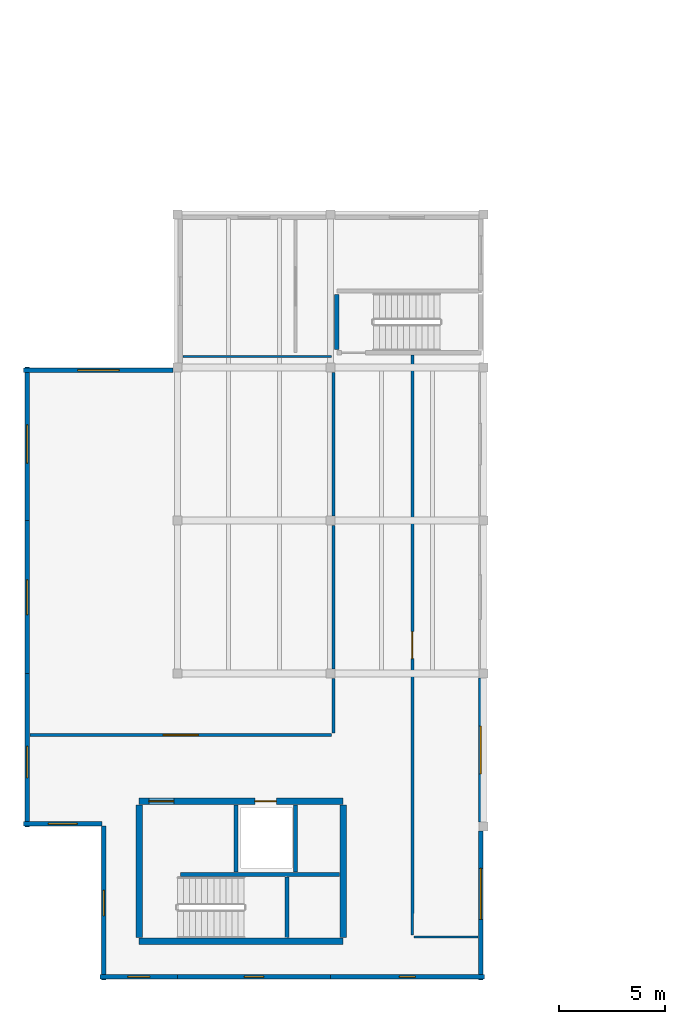
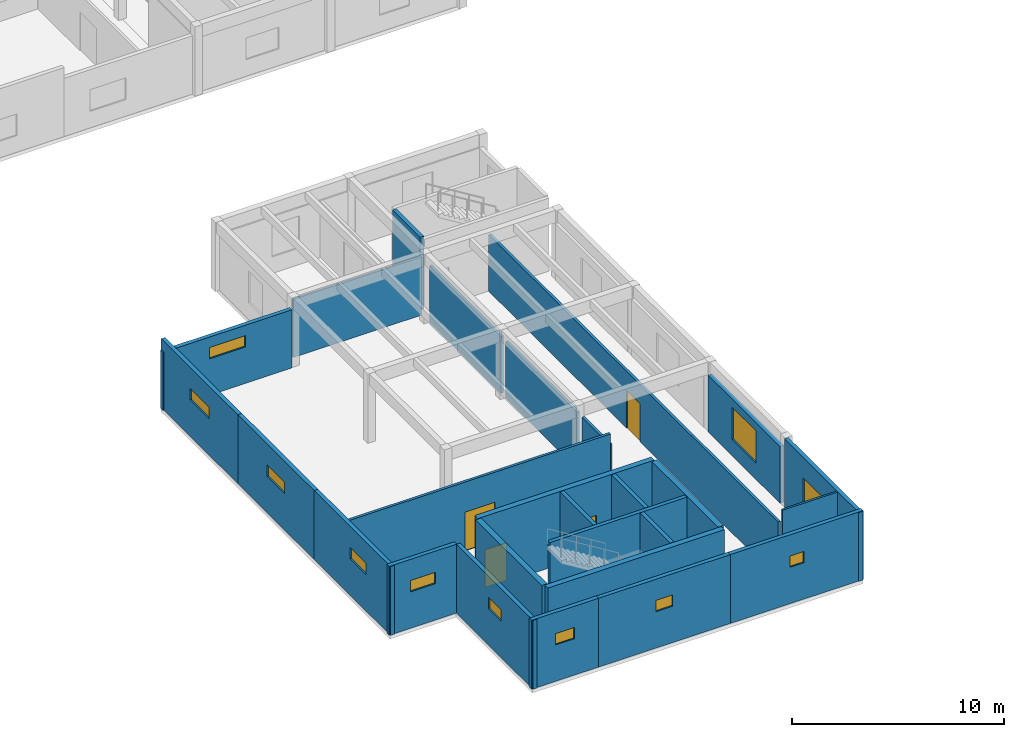
# One storey, part 3 of 15: 27 walls, 11 windows, 4 doors, 15 openings.
"""IFC4 building model written with IfcOpenShell, lengths in metres."""

from ifc_helpers import new_model, si_unit, direction, frame, frame_2d, origin, place, context, subcontext, project, spatial, rectangle, extrude, material, layer, layer_set, type_object, element, fill, save


model = new_model("IFC4")

# Units and contexts
model_context = context("Model", 3, precision=1e-05, world=origin(), true_north=direction((0.0, 1.0)))
body_context = subcontext(model_context, "Body", "Model", "MODEL_VIEW")
ifc_project = project(units=[si_unit("LENGTHUNIT", "METRE"), si_unit("AREAUNIT", "SQUARE_METRE"), si_unit("VOLUMEUNIT", "CUBIC_METRE"), si_unit("PLANEANGLEUNIT", "RADIAN"), si_unit("MASSUNIT", "GRAM", prefix="KILO")], contexts=[model_context])

# Site, building, storey
site_placement = place(None, origin())
site = spatial("IfcSite", under=ifc_project, at=site_placement, CompositionType="ELEMENT")
building_placement = place(site_placement, origin())
building = spatial("IfcBuilding", under=site, at=building_placement, Name="Bramvelor Terrace Health Centre", CompositionType="ELEMENT")
storey_placement = place(building_placement, frame((0.0, 0.0, 13.5)))
storey = spatial("IfcBuildingStorey", under=building, at=storey_placement, Name="L04", CompositionType="ELEMENT", Elevation=13.5)

# Walls
ifc_material_1 = material(Name="Acoustic clinical partition board", Category="gypsum")
ifc_layer_1 = layer(ifc_material_1, 0.110107421875)
ifc_layer_set_1 = layer_set([ifc_layer_1], Name="Acoustic clinical partition board")
wall_type_1 = type_object("IfcWallType", Name="WL-CLN-110", PredefinedType="PARTITIONING", material=ifc_layer_set_1)
wall_1_placement = place(storey_placement, frame((7.449951171875, 58.1201171875, 0.0), z_axis=(0.0, 0.0, 1.0), x_axis=(1.0, 0.0, 0.0)))
element("IfcWall", 1, at=wall_1_placement, inside=storey, type_object=wall_type_1, Name="L04 Interior Partition 312", PredefinedType="PARTITIONING", context=body_context, shape_type="SweptSolid", body=[
    extrude(rectangle(XDim=7.010009765625, YDim=0.110107421875, at=frame_2d((3.5048828125, 0.0))), origin(), (0.0, 0.0, 1.0), 3.35009765625),
])
wall_2_placement = place(storey_placement, frame((21.35009765625, 30.800048828125, 0.0), z_axis=(0.0, 0.0, 1.0), x_axis=(-1.0, 0.0, 0.0)))
element("IfcWall", 2, at=wall_2_placement, inside=storey, type_object=wall_type_1, Name="L04 Interior Partition 318", PredefinedType="PARTITIONING", context=body_context, shape_type="SweptSolid", body=[
    extrude(rectangle(XDim=3.010009765625, YDim=0.110107421875, at=frame_2d((1.5048828125, 0.0))), origin(), (0.0, 0.0, 1.0), 3.969970703125),
])

# Wall, opening, door
ifc_material_2 = material(Name="Fire-rated gypsum and mineral wool", Category="gypsum")
ifc_layer_2 = layer(ifc_material_2, 0.139892578125)
ifc_layer_set_2 = layer_set([ifc_layer_2], Name="Fire-rated gypsum and mineral wool")
wall_type_2 = type_object("IfcWallType", Name="WL-COR-140", PredefinedType="PARTITIONING", material=ifc_layer_set_2)
wall_3_placement = place(storey_placement, frame((14.4599609375, 40.31005859375, 0.0), z_axis=(0.0, 0.0, 1.0), x_axis=(-1.0, 0.0, 0.0)))
wall_3 = element("IfcWall", 3, at=wall_3_placement, inside=storey, type_object=wall_type_2, Name="L04 Interior Partition 311", PredefinedType="PARTITIONING", context=body_context, shape_type="SweptSolid", body=[
    extrude(rectangle(XDim=14.2099609375, YDim=0.139892578125, at=frame_2d((7.10498046875, 0.0))), origin(), (0.0, 0.0, 1.0), 3.969970703125),
])
opening_1_placement = place(wall_3_placement, frame((6.284912109375, 0.0, 0.0)))
opening_1 = element("IfcOpeningElement", 4, at=opening_1_placement, cuts=wall_3, Name="Opening FD-09", PredefinedType="OPENING", context=body_context, shape_type="SweptSolid", body=[
    extrude(rectangle(XDim=1.639892578125, YDim=2.239990234375, at=frame_2d((0.81982421875, 1.1201171875))), frame((0.0, 0.079833984375, 0.0), z_axis=(0.0, -1.0, 0.0), x_axis=(1.0, 0.0, 0.0)), (0.0, 0.0, 1.0), 0.159912109375),
])
ifc_material_3 = material(Name="Fire-rated steel and vision panel", Category="steel")
door_type_1 = type_object("IfcDoorType", Name="DR-FD60-164", OperationType="DOUBLE_DOOR_SINGLE_SWING", PredefinedType="DOOR", material=ifc_material_3)
door_1_placement = place(opening_1_placement, origin())
door_1 = element("IfcDoor", 5, at=door_1_placement, inside=storey, type_object=door_type_1, Name="L04 Mindfulness and Art Therapy Studio Fire Door", OperationType="DOUBLE_DOOR_SINGLE_SWING", OverallHeight=2.239990234375, OverallWidth=1.639892578125, PredefinedType="DOOR", context=body_context, shape_type="SweptSolid", body=[
    extrude(rectangle(XDim=1.639892578125, YDim=2.239990234375, at=frame_2d((0.81982421875, 1.1201171875))), frame((0.0, 0.02490234375, 0.0), z_axis=(0.0, -1.0, 0.0), x_axis=(1.0, 0.0, 0.0)), (0.0, 0.0, 1.0), 0.050048828125),
])
fill(opening_1, door_1)

# Walls
for number, where, z_axis, x_axis, name in (
    (6, (14.550048828125, 57.375, 0.0), (0.0, 0.0, 1.0), (0.0, -1.0, 0.0), "L04 Interior Partition 313"),
    (7, (14.550048828125, 50.175048828125, 0.0), (0.0, 0.0, 1.0), (0.0, -1.0, 0.0), "L04 Interior Partition 314"),
):
    element("IfcWall", number, at=place(storey_placement, frame(where, z_axis=z_axis, x_axis=x_axis)), inside=storey, type_object=wall_type_2, Name=name, PredefinedType="PARTITIONING", context=body_context, shape_type="SweptSolid", body=[
        extrude(rectangle(XDim=6.75, YDim=0.139892578125, at=frame_2d((3.375, 0.0))), origin(), (0.0, 0.0, 1.0), 3.27001953125),
    ])
wall_4_placement = place(storey_placement, frame((14.550048828125, 42.97509765625, 0.0), z_axis=(0.0, 0.0, 1.0), x_axis=(0.0, -1.0, 0.0)))
element("IfcWall", 8, at=wall_4_placement, inside=storey, type_object=wall_type_2, Name="L04 Interior Partition 315", PredefinedType="PARTITIONING", context=body_context, shape_type="SweptSolid", body=[
    extrude(rectangle(XDim=2.5751953125, YDim=0.139892578125, at=frame_2d((1.28759765625, 0.0))), origin(), (0.0, 0.0, 1.0), 3.27001953125),
])

# Wall, opening, door
wall_5_placement = place(storey_placement, frame((18.25, 30.889892578125, 0.0), z_axis=(0.0, 0.0, 1.0), x_axis=(7.1542912e-05, 0.999999997441, 0.0)))
wall_5 = element("IfcWall", 9, at=wall_5_placement, inside=storey, type_object=wall_type_2, Name="L04 Interior Partition 317", PredefinedType="PARTITIONING", context=body_context, shape_type="SweptSolid", body=[
    extrude(rectangle(XDim=27.300048828125, YDim=0.139892578125, at=frame_2d((13.64990234375, 0.0))), origin(), (0.0, 0.0, 1.0), 3.27001953125),
])
opening_2_placement = place(wall_5_placement, frame((13.010009765625, 0.0, 0.0)))
opening_2 = element("IfcOpeningElement", 10, at=opening_2_placement, cuts=wall_5, Name="Opening FD-01", PredefinedType="OPENING", context=body_context, shape_type="SweptSolid", body=[
    extrude(rectangle(XDim=1.280029296875, YDim=2.179931640625, at=frame_2d((0.64013671875, 1.08984375))), frame((0.0, 0.079833984375, 0.0), z_axis=(0.0, -1.0, 0.0), x_axis=(1.0, 0.0, 0.0)), (0.0, 0.0, 1.0), 0.159912109375),
])
ifc_material_4 = material(Name="Fire-rated steel and vision panel", Category="steel")
door_type_2 = type_object("IfcDoorType", Name="DR-FD90-128", OperationType="NOTDEFINED", PredefinedType="DOOR", material=ifc_material_4)
door_2_placement = place(opening_2_placement, origin())
door_2 = element("IfcDoor", 11, at=door_2_placement, inside=storey, type_object=door_type_2, Name="L04 Psychiatric Medication Review Clinic Fire Door", OperationType="SINGLE_SWING_LEFT", OverallHeight=2.179931640625, OverallWidth=1.280029296875, PredefinedType="DOOR", context=body_context, shape_type="SweptSolid", body=[
    extrude(rectangle(XDim=1.280029296875, YDim=2.179931640625, at=frame_2d((0.64013671875, 1.08984375))), frame((0.0, 0.02490234375, 0.0), z_axis=(0.0, -1.0, 0.0), x_axis=(1.0, 0.0, 0.0)), (0.0, 0.0, 1.0), 0.050048828125),
])
fill(opening_2, door_2)

# Walls
ifc_material_5 = material(Name="Concrete C40/50", Category="concrete")
ifc_layer_3 = layer(ifc_material_5, 0.199951171875)
ifc_layer_set_3 = layer_set([ifc_layer_3], Name="Concrete C40/50")
wall_type_3 = type_object("IfcWallType", Name="WL-CORE-200", PredefinedType="SHEAR", material=ifc_layer_set_3)
wall_6_placement = place(storey_placement, frame((7.35009765625, 33.75, 0.0), z_axis=(0.0, 0.0, 1.0), x_axis=(1.0, 0.0, 0.0)))
element("IfcWall", 12, at=wall_6_placement, inside=storey, type_object=wall_type_3, Name="C3 L04 Core Shear Wall", PredefinedType="SHEAR", context=body_context, shape_type="SweptSolid", body=[
    extrude(rectangle(XDim=7.469970703125, YDim=0.199951171875, at=frame_2d((3.73486328125, 0.0))), origin(), (0.0, 0.0, 1.0), 4.199951171875),
])
wall_7_placement = place(storey_placement, frame((12.35498046875, 30.780029296875, 0.0), z_axis=(0.0, 0.0, 1.0), x_axis=(0.0, 1.0, 0.0)))
element("IfcWall", 13, at=wall_7_placement, inside=storey, type_object=wall_type_3, Name="C3 L04 Core Shear Wall", PredefinedType="SHEAR", context=body_context, shape_type="SweptSolid", body=[
    extrude(rectangle(XDim=2.849853515625, YDim=0.199951171875, at=frame_2d((1.4248046875, 0.0))), origin(), (0.0, 0.0, 1.0), 4.199951171875),
])
for number, where, z_axis, x_axis, name in (
    (14, (9.949951171875, 33.8701171875, 0.0), (0.0, 0.0, 1.0), (0.0, 1.0, 0.0), "C3 L04 Core Shear Wall"),
    (15, (12.75, 33.8701171875, 0.0), (0.0, 0.0, 1.0), (0.0, 1.0, 0.0), "C3 L04 Lift Divider Wall"),
):
    element("IfcWall", number, at=place(storey_placement, frame(where, z_axis=z_axis, x_axis=x_axis)), inside=storey, type_object=wall_type_3, Name=name, PredefinedType="SHEAR", context=body_context, shape_type="SweptSolid", body=[
        extrude(rectangle(XDim=3.14990234375, YDim=0.199951171875, at=frame_2d((1.574951171875, 0.0))), origin(), (0.0, 0.0, 1.0), 4.199951171875),
    ])
wall_8_placement = place(storey_placement, frame((14.699951171875, 58.449951171875, 0.0), z_axis=(0.0, 0.0, 1.0), x_axis=(0.0, 1.0, 0.0)))
element("IfcWall", 16, at=wall_8_placement, inside=storey, type_object=wall_type_3, Name="ST-6 L04 Stair Shaft Wall", PredefinedType="SHEAR", context=body_context, shape_type="SweptSolid", body=[
    extrude(rectangle(XDim=2.60009765625, YDim=0.199951171875, at=frame_2d((1.300048828125, 0.0))), origin(), (0.0, 0.0, 1.0), 4.199951171875),
])
ifc_material_6 = material(Name="Concrete C40/50", Category="concrete")
ifc_layer_4 = layer(ifc_material_6, 0.300048828125)
ifc_layer_set_4 = layer_set([ifc_layer_4], Name="Concrete C40/50")
wall_type_4 = type_object("IfcWallType", Name="WL-CORE-300", PredefinedType="SHEAR", material=ifc_layer_set_4)
wall_9_placement = place(storey_placement, frame((5.39990234375, 30.60009765625, 0.0), z_axis=(0.0, 0.0, 1.0), x_axis=(1.0, 0.0, 0.0)))
element("IfcWall", 17, at=wall_9_placement, inside=storey, type_object=wall_type_4, Name="C3 L04 Core Shear Wall", PredefinedType="SHEAR", context=body_context, shape_type="SweptSolid", body=[
    extrude(rectangle(XDim=9.60009765625, YDim=0.300048828125, at=frame_2d((4.800048828125, 0.0))), origin(), (0.0, 0.0, 1.0), 4.199951171875),
])

# Wall, openings, doors
wall_10_placement = place(storey_placement, frame((5.39990234375, 37.199951171875, 0.0), z_axis=(0.0, 0.0, 1.0), x_axis=(1.0, 0.0, 0.0)))
wall_10 = element("IfcWall", 18, at=wall_10_placement, inside=storey, type_object=wall_type_4, Name="C3 L04 Core Shear Wall", PredefinedType="SHEAR", context=body_context, shape_type="SweptSolid", body=[
    extrude(rectangle(XDim=9.60009765625, YDim=0.300048828125, at=frame_2d((4.800048828125, 0.0))), origin(), (0.0, 0.0, 1.0), 4.199951171875),
])
opening_3_placement = place(wall_10_placement, frame((0.449951171875, 0.0, 0.0)))
opening_3 = element("IfcOpeningElement", 19, at=opening_3_placement, cuts=wall_10, Name="Opening FD-02", PredefinedType="OPENING", context=body_context, shape_type="SweptSolid", body=[
    extrude(rectangle(XDim=1.179931640625, YDim=2.159912109375, at=frame_2d((0.58984375, 1.080078125))), frame((0.0, 0.159912109375, 0.0), z_axis=(0.0, -1.0, 0.0), x_axis=(1.0, 0.0, 0.0)), (0.0, 0.0, 1.0), 0.320068359375),
])
opening_4_placement = place(wall_10_placement, frame((5.43994140625, 0.0, 0.0)))
opening_4 = element("IfcOpeningElement", 20, at=opening_4_placement, cuts=wall_10, Name="Opening LD-2", PredefinedType="OPENING", context=body_context, shape_type="SweptSolid", body=[
    extrude(rectangle(XDim=1.02001953125, YDim=2.1201171875, at=frame_2d((0.510009765625, 1.06005859375))), frame((0.0, 0.159912109375, 0.0), z_axis=(0.0, -1.0, 0.0), x_axis=(1.0, 0.0, 0.0)), (0.0, 0.0, 1.0), 0.320068359375),
])
ifc_material_7 = material(Name="Fire-rated steel and vision panel", Category="steel")
door_type_3 = type_object("IfcDoorType", Name="DR-FD90-118", OperationType="NOTDEFINED", PredefinedType="DOOR", material=ifc_material_7)
door_3_placement = place(opening_3_placement, origin())
door_3 = element("IfcDoor", 21, at=door_3_placement, inside=storey, type_object=door_type_3, Name="C3 L04 Core Stair Fire Door", OperationType="SINGLE_SWING_LEFT", OverallHeight=2.159912109375, OverallWidth=1.179931640625, PredefinedType="DOOR", context=body_context, shape_type="SweptSolid", body=[
    extrude(rectangle(XDim=1.179931640625, YDim=2.159912109375, at=frame_2d((0.58984375, 1.080078125))), frame((0.0, 0.02490234375, 0.0), z_axis=(0.0, -1.0, 0.0), x_axis=(1.0, 0.0, 0.0)), (0.0, 0.0, 1.0), 0.050048828125),
])
fill(opening_3, door_3)
ifc_material_8 = material(Name="Brushed stainless steel 316", Category="steel")
door_type_4 = type_object("IfcDoorType", Name="DR-LIFT-PS102", OperationType="SLIDING_TO_LEFT", PredefinedType="DOOR", material=ifc_material_8)
door_4_placement = place(opening_4_placement, origin())
door_4 = element("IfcDoor", 22, at=door_4_placement, inside=storey, type_object=door_type_4, Name="Lift LP-03 L04 Sliding Landing Door", OperationType="SLIDING_TO_LEFT", OverallHeight=2.1201171875, OverallWidth=1.02001953125, PredefinedType="DOOR", context=body_context, shape_type="SweptSolid", body=[
    extrude(rectangle(XDim=1.02001953125, YDim=2.1201171875, at=frame_2d((0.510009765625, 1.06005859375))), frame((0.0, 0.02490234375, 0.0), z_axis=(0.0, -1.0, 0.0), x_axis=(1.0, 0.0, 0.0)), (0.0, 0.0, 1.0), 0.050048828125),
])
fill(opening_4, door_4)

# Walls
for number, where, z_axis, x_axis, name in (
    (23, (5.39990234375, 30.780029296875, 0.0), (0.0, 0.0, 1.0), (0.0, 1.0, 0.0), "C3 L04 Core Shear Wall"),
    (24, (15.0, 30.780029296875, 0.0), (0.0, 0.0, 1.0), (0.0, 1.0, 0.0), "C3 L04 Core Shear Wall"),
):
    element("IfcWall", number, at=place(storey_placement, frame(where, z_axis=z_axis, x_axis=x_axis)), inside=storey, type_object=wall_type_4, Name=name, PredefinedType="SHEAR", context=body_context, shape_type="SweptSolid", body=[
        extrude(rectangle(XDim=6.239990234375, YDim=0.300048828125, at=frame_2d((3.1201171875, 0.0))), origin(), (0.0, 0.0, 1.0), 4.199951171875),
    ])

# Wall, opening, window
ifc_material_9 = material(Name="Cross-laminated timber C24", Category="wood")
ifc_layer_5 = layer(ifc_material_9, 0.219970703125)
ifc_layer_set_5 = layer_set([ifc_layer_5], Name="Cross-laminated timber C24")
wall_type_5 = type_object("IfcWallType", Name="WL-EXT-CLT220", PredefinedType="SOLIDWALL", material=ifc_layer_set_5)
wall_11_placement = place(storey_placement, frame((21.469970703125, 42.9951171875, 0.0), z_axis=(0.0, 0.0, 1.0), x_axis=(0.0, -1.0, 0.0)))
wall_11 = element("IfcWall", 25, at=wall_11_placement, inside=storey, type_object=wall_type_5, Name="L04 Exterior Facade Wall 7", PredefinedType="SOLIDWALL", context=body_context, shape_type="SweptSolid", body=[
    extrude(rectangle(XDim=6.7900390625, YDim=0.219970703125, at=frame_2d((3.39501953125, 0.0))), origin(), (0.0, 0.0, 1.0), 3.27001953125),
])
opening_5_placement = place(wall_11_placement, frame((2.27001953125, 0.0, 0.949951171875)))
opening_5 = element("IfcOpeningElement", 26, at=opening_5_placement, cuts=wall_11, Name="Opening WN-59", PredefinedType="OPENING", context=body_context, shape_type="SweptSolid", body=[
    extrude(rectangle(XDim=2.25, YDim=1.85009765625, at=frame_2d((1.125, 0.925048828125))), frame((0.0, 0.119873046875, 0.0), z_axis=(0.0, -1.0, 0.0), x_axis=(1.0, 0.0, 0.0)), (0.0, 0.0, 1.0), 0.239990234375),
])
ifc_material_10 = material(Name="Double low-E laminated glass", Category="glass")
window_type_1 = type_object("IfcWindowType", Name="WIN-EXT-59", PartitioningType="SINGLE_PANEL", PredefinedType="WINDOW", material=ifc_material_10)
window_1_placement = place(opening_5_placement, origin())
window_1 = element("IfcWindow", 27, at=window_1_placement, inside=storey, type_object=window_type_1, Name="L04 Scheduled Clinical Window 179", OverallHeight=1.85009765625, OverallWidth=2.25, PartitioningType="SINGLE_PANEL", PredefinedType="WINDOW", context=body_context, shape_type="SweptSolid", body=[
    extrude(rectangle(XDim=2.25, YDim=1.85009765625, at=frame_2d((1.125, 0.925048828125))), frame((0.0, 0.030029296875, 0.0), z_axis=(0.0, -1.0, 0.0), x_axis=(1.0, 0.0, 0.0)), (0.0, 0.0, 1.0), 0.06005859375),
])
fill(opening_5, window_1)

wall_12_placement = place(storey_placement, frame((21.469970703125, 35.794921875, 0.0), z_axis=(0.0, 0.0, 1.0), x_axis=(0.0, -1.0, 0.0)))
wall_12 = element("IfcWall", 28, at=wall_12_placement, inside=storey, type_object=wall_type_5, Name="L04 Exterior Facade Wall 8", PredefinedType="SOLIDWALL", context=body_context, shape_type="SweptSolid", body=[
    extrude(rectangle(XDim=7.014892578125, YDim=0.219970703125, at=frame_2d((3.50732421875, 0.0))), origin(), (0.0, 0.0, 1.0), 3.969970703125),
])
opening_6_placement = place(wall_12_placement, frame((1.757568359375, 0.0, 0.949951171875)))
opening_6 = element("IfcOpeningElement", 29, at=opening_6_placement, cuts=wall_12, Name="Opening WN-60", PredefinedType="OPENING", context=body_context, shape_type="SweptSolid", body=[
    extrude(rectangle(XDim=2.39990234375, YDim=1.85009765625, at=frame_2d((1.199951171875, 0.925048828125))), frame((0.0, 0.119873046875, 0.0), z_axis=(0.0, -1.0, 0.0), x_axis=(1.0, 0.0, 0.0)), (0.0, 0.0, 1.0), 0.239990234375),
])
ifc_material_11 = material(Name="Double low-E laminated glass", Category="glass")
window_type_2 = type_object("IfcWindowType", Name="WIN-EXT-60", PartitioningType="SINGLE_PANEL", PredefinedType="WINDOW", material=ifc_material_11)
window_2_placement = place(opening_6_placement, origin())
window_2 = element("IfcWindow", 30, at=window_2_placement, inside=storey, type_object=window_type_2, Name="L04 Scheduled Clinical Window 180", OverallHeight=1.85009765625, OverallWidth=2.39990234375, PartitioningType="SINGLE_PANEL", PredefinedType="WINDOW", context=body_context, shape_type="SweptSolid", body=[
    extrude(rectangle(XDim=2.39990234375, YDim=1.85009765625, at=frame_2d((1.199951171875, 0.925048828125))), frame((0.0, 0.030029296875, 0.0), z_axis=(0.0, -1.0, 0.0), x_axis=(1.0, 0.0, 0.0)), (0.0, 0.0, 1.0), 0.06005859375),
])
fill(opening_6, window_2)

wall_13_placement = place(storey_placement, frame((21.639892578125, 28.929931640625, 0.0), z_axis=(0.0, 0.0, 1.0), x_axis=(-1.0, 0.0, 0.0)))
wall_13 = element("IfcWall", 31, at=wall_13_placement, inside=storey, type_object=wall_type_5, Name="L04 Exterior Facade Wall 9", PredefinedType="SOLIDWALL", context=body_context, shape_type="SweptSolid", body=[
    extrude(rectangle(XDim=7.239990234375, YDim=0.219970703125, at=frame_2d((3.6201171875, 0.0))), origin(), (0.0, 0.0, 1.0), 3.969970703125),
])
opening_7_placement = place(wall_13_placement, frame((3.2451171875, 0.0, 2.10009765625)))
opening_7 = element("IfcOpeningElement", 32, at=opening_7_placement, cuts=wall_13, Name="Opening WN-01", PredefinedType="OPENING", context=body_context, shape_type="SweptSolid", body=[
    extrude(rectangle(XDim=0.75, YDim=0.64990234375, at=frame_2d((0.375, 0.324951171875))), frame((0.0, 0.119873046875, 0.0), z_axis=(0.0, -1.0, 0.0), x_axis=(1.0, 0.0, 0.0)), (0.0, 0.0, 1.0), 0.239990234375),
])
ifc_material_12 = material(Name="Double low-E laminated glass", Category="glass")
window_type_3 = type_object("IfcWindowType", Name="WIN-EXT-01", PartitioningType="SINGLE_PANEL", PredefinedType="WINDOW", material=ifc_material_12)
window_3_placement = place(opening_7_placement, origin())
window_3 = element("IfcWindow", 33, at=window_3_placement, inside=storey, type_object=window_type_3, Name="L04 Scheduled Clinical Window 181", OverallHeight=0.64990234375, OverallWidth=0.75, PartitioningType="SINGLE_PANEL", PredefinedType="WINDOW", context=body_context, shape_type="SweptSolid", body=[
    extrude(rectangle(XDim=0.75, YDim=0.64990234375, at=frame_2d((0.375, 0.324951171875))), frame((0.0, 0.030029296875, 0.0), z_axis=(0.0, -1.0, 0.0), x_axis=(1.0, 0.0, 0.0)), (0.0, 0.0, 1.0), 0.06005859375),
])
fill(opening_7, window_3)

wall_14_placement = place(storey_placement, frame((14.39990234375, 28.929931640625, 0.0), z_axis=(0.0, 0.0, 1.0), x_axis=(-1.0, 0.0, 0.0)))
wall_14 = element("IfcWall", 34, at=wall_14_placement, inside=storey, type_object=wall_type_5, Name="L04 Exterior Facade Wall 10", PredefinedType="SOLIDWALL", context=body_context, shape_type="SweptSolid", body=[
    extrude(rectangle(XDim=7.199951171875, YDim=0.219970703125, at=frame_2d((3.60009765625, 0.0))), origin(), (0.0, 0.0, 1.0), 3.969970703125),
])
opening_8_placement = place(wall_14_placement, frame((3.14990234375, 0.0, 2.10009765625)))
opening_8 = element("IfcOpeningElement", 35, at=opening_8_placement, cuts=wall_14, Name="Opening WN-02", PredefinedType="OPENING", context=body_context, shape_type="SweptSolid", body=[
    extrude(rectangle(XDim=0.89990234375, YDim=0.64990234375, at=frame_2d((0.449951171875, 0.324951171875))), frame((0.0, 0.119873046875, 0.0), z_axis=(0.0, -1.0, 0.0), x_axis=(1.0, 0.0, 0.0)), (0.0, 0.0, 1.0), 0.239990234375),
])
ifc_material_13 = material(Name="Double low-E laminated glass", Category="glass")
window_type_4 = type_object("IfcWindowType", Name="WIN-EXT-02", PartitioningType="SINGLE_PANEL", PredefinedType="WINDOW", material=ifc_material_13)
window_4_placement = place(opening_8_placement, origin())
window_4 = element("IfcWindow", 36, at=window_4_placement, inside=storey, type_object=window_type_4, Name="L04 Scheduled Clinical Window 182", OverallHeight=0.64990234375, OverallWidth=0.89990234375, PartitioningType="SINGLE_PANEL", PredefinedType="WINDOW", context=body_context, shape_type="SweptSolid", body=[
    extrude(rectangle(XDim=0.89990234375, YDim=0.64990234375, at=frame_2d((0.449951171875, 0.324951171875))), frame((0.0, 0.030029296875, 0.0), z_axis=(0.0, -1.0, 0.0), x_axis=(1.0, 0.0, 0.0)), (0.0, 0.0, 1.0), 0.06005859375),
])
fill(opening_8, window_4)

wall_15_placement = place(storey_placement, frame((7.199951171875, 28.929931640625, 0.0), z_axis=(0.0, 0.0, 1.0), x_axis=(-1.0, 0.0, 0.0)))
wall_15 = element("IfcWall", 37, at=wall_15_placement, inside=storey, type_object=wall_type_5, Name="L04 Exterior Facade Wall 11", PredefinedType="SOLIDWALL", context=body_context, shape_type="SweptSolid", body=[
    extrude(rectangle(XDim=3.639892578125, YDim=0.219970703125, at=frame_2d((1.81982421875, 0.0))), origin(), (0.0, 0.0, 1.0), 3.969970703125),
])
opening_9_placement = place(wall_15_placement, frame((1.294921875, 0.0, 2.10009765625)))
opening_9 = element("IfcOpeningElement", 38, at=opening_9_placement, cuts=wall_15, Name="Opening WN-03", PredefinedType="OPENING", context=body_context, shape_type="SweptSolid", body=[
    extrude(rectangle(XDim=1.050048828125, YDim=0.64990234375, at=frame_2d((0.52490234375, 0.324951171875))), frame((0.0, 0.119873046875, 0.0), z_axis=(0.0, -1.0, 0.0), x_axis=(1.0, 0.0, 0.0)), (0.0, 0.0, 1.0), 0.239990234375),
])
ifc_material_14 = material(Name="Double low-E laminated glass", Category="glass")
window_type_5 = type_object("IfcWindowType", Name="WIN-EXT-03", PartitioningType="SINGLE_PANEL", PredefinedType="WINDOW", material=ifc_material_14)
window_5_placement = place(opening_9_placement, origin())
window_5 = element("IfcWindow", 39, at=window_5_placement, inside=storey, type_object=window_type_5, Name="L04 Scheduled Clinical Window 183", OverallHeight=0.64990234375, OverallWidth=1.050048828125, PartitioningType="SINGLE_PANEL", PredefinedType="WINDOW", context=body_context, shape_type="SweptSolid", body=[
    extrude(rectangle(XDim=1.050048828125, YDim=0.64990234375, at=frame_2d((0.52490234375, 0.324951171875))), frame((0.0, 0.030029296875, 0.0), z_axis=(0.0, -1.0, 0.0), x_axis=(1.0, 0.0, 0.0)), (0.0, 0.0, 1.0), 0.06005859375),
])
fill(opening_9, window_5)

wall_16_placement = place(storey_placement, frame((3.72998046875, 28.780029296875, 0.0), z_axis=(0.0, 0.0, 1.0), x_axis=(0.0, 1.0, 0.0)))
wall_16 = element("IfcWall", 40, at=wall_16_placement, inside=storey, type_object=wall_type_5, Name="L04 Exterior Facade Wall 12", PredefinedType="SOLIDWALL", context=body_context, shape_type="SweptSolid", body=[
    extrude(rectangle(XDim=7.239990234375, YDim=0.219970703125, at=frame_2d((3.6201171875, 0.0))), origin(), (0.0, 0.0, 1.0), 3.969970703125),
])
opening_10_placement = place(wall_16_placement, frame((3.02001953125, 0.0, 2.10009765625)))
opening_10 = element("IfcOpeningElement", 41, at=opening_10_placement, cuts=wall_16, Name="Opening WN-04", PredefinedType="OPENING", context=body_context, shape_type="SweptSolid", body=[
    extrude(rectangle(XDim=1.199951171875, YDim=0.64990234375, at=frame_2d((0.60009765625, 0.324951171875))), frame((0.0, 0.119873046875, 0.0), z_axis=(0.0, -1.0, 0.0), x_axis=(1.0, 0.0, 0.0)), (0.0, 0.0, 1.0), 0.239990234375),
])
ifc_material_15 = material(Name="Double low-E laminated glass", Category="glass")
window_type_6 = type_object("IfcWindowType", Name="WIN-EXT-04", PartitioningType="SINGLE_PANEL", PredefinedType="WINDOW", material=ifc_material_15)
window_6_placement = place(opening_10_placement, origin())
window_6 = element("IfcWindow", 42, at=window_6_placement, inside=storey, type_object=window_type_6, Name="L04 Scheduled Clinical Window 184", OverallHeight=0.64990234375, OverallWidth=1.199951171875, PartitioningType="SINGLE_PANEL", PredefinedType="WINDOW", context=body_context, shape_type="SweptSolid", body=[
    extrude(rectangle(XDim=1.199951171875, YDim=0.64990234375, at=frame_2d((0.60009765625, 0.324951171875))), frame((0.0, 0.030029296875, 0.0), z_axis=(0.0, -1.0, 0.0), x_axis=(1.0, 0.0, 0.0)), (0.0, 0.0, 1.0), 0.06005859375),
])
fill(opening_10, window_6)

wall_17_placement = place(storey_placement, frame((3.639892578125, 36.1298828125, 0.0), z_axis=(0.0, 0.0, 1.0), x_axis=(-1.0, 0.0, 0.0)))
wall_17 = element("IfcWall", 43, at=wall_17_placement, inside=storey, type_object=wall_type_5, Name="L04 Exterior Facade Wall 13", PredefinedType="SOLIDWALL", context=body_context, shape_type="SweptSolid", body=[
    extrude(rectangle(XDim=3.679931640625, YDim=0.219970703125, at=frame_2d((1.83984375, 0.0))), origin(), (0.0, 0.0, 1.0), 3.969970703125),
])
opening_11_placement = place(wall_17_placement, frame((1.1650390625, 0.0, 2.10009765625)))
opening_11 = element("IfcOpeningElement", 44, at=opening_11_placement, cuts=wall_17, Name="Opening WN-05", PredefinedType="OPENING", context=body_context, shape_type="SweptSolid", body=[
    extrude(rectangle(XDim=1.35009765625, YDim=0.64990234375, at=frame_2d((0.675048828125, 0.324951171875))), frame((0.0, 0.119873046875, 0.0), z_axis=(0.0, -1.0, 0.0), x_axis=(1.0, 0.0, 0.0)), (0.0, 0.0, 1.0), 0.239990234375),
])
ifc_material_16 = material(Name="Double low-E laminated glass", Category="glass")
window_type_7 = type_object("IfcWindowType", Name="WIN-EXT-05", PartitioningType="SINGLE_PANEL", PredefinedType="WINDOW", material=ifc_material_16)
window_7_placement = place(opening_11_placement, origin())
window_7 = element("IfcWindow", 45, at=window_7_placement, inside=storey, type_object=window_type_7, Name="L04 Scheduled Clinical Window 185", OverallHeight=0.64990234375, OverallWidth=1.35009765625, PartitioningType="SINGLE_PANEL", PredefinedType="WINDOW", context=body_context, shape_type="SweptSolid", body=[
    extrude(rectangle(XDim=1.35009765625, YDim=0.64990234375, at=frame_2d((0.675048828125, 0.324951171875))), frame((0.0, 0.030029296875, 0.0), z_axis=(0.0, -1.0, 0.0), x_axis=(1.0, 0.0, 0.0)), (0.0, 0.0, 1.0), 0.06005859375),
])
fill(opening_11, window_7)

wall_18_placement = place(storey_placement, frame((0.1298828125, 35.97998046875, 0.0), z_axis=(0.0, 0.0, 1.0), x_axis=(0.0, 1.0, 0.0)))
wall_18 = element("IfcWall", 46, at=wall_18_placement, inside=storey, type_object=wall_type_5, Name="L04 Exterior Facade Wall 14", PredefinedType="SOLIDWALL", context=body_context, shape_type="SweptSolid", body=[
    extrude(rectangle(XDim=7.219970703125, YDim=0.219970703125, at=frame_2d((3.60986328125, 0.0))), origin(), (0.0, 0.0, 1.0), 3.969970703125),
])
opening_12_placement = place(wall_18_placement, frame((2.31005859375, 0.0, 2.10009765625)))
opening_12 = element("IfcOpeningElement", 47, at=opening_12_placement, cuts=wall_18, Name="Opening WN-06", PredefinedType="OPENING", context=body_context, shape_type="SweptSolid", body=[
    extrude(rectangle(XDim=1.5, YDim=0.64990234375, at=frame_2d((0.75, 0.324951171875))), frame((0.0, 0.119873046875, 0.0), z_axis=(0.0, -1.0, 0.0), x_axis=(1.0, 0.0, 0.0)), (0.0, 0.0, 1.0), 0.239990234375),
])
ifc_material_17 = material(Name="Double low-E laminated glass", Category="glass")
window_type_8 = type_object("IfcWindowType", Name="WIN-EXT-06", PartitioningType="SINGLE_PANEL", PredefinedType="WINDOW", material=ifc_material_17)
window_8_placement = place(opening_12_placement, origin())
window_8 = element("IfcWindow", 48, at=window_8_placement, inside=storey, type_object=window_type_8, Name="L04 Scheduled Clinical Window 186", OverallHeight=0.64990234375, OverallWidth=1.5, PartitioningType="SINGLE_PANEL", PredefinedType="WINDOW", context=body_context, shape_type="SweptSolid", body=[
    extrude(rectangle(XDim=1.5, YDim=0.64990234375, at=frame_2d((0.75, 0.324951171875))), frame((0.0, 0.030029296875, 0.0), z_axis=(0.0, -1.0, 0.0), x_axis=(1.0, 0.0, 0.0)), (0.0, 0.0, 1.0), 0.06005859375),
])
fill(opening_12, window_8)

wall_19_placement = place(storey_placement, frame((0.1298828125, 43.199951171875, 0.0), z_axis=(0.0, 0.0, 1.0), x_axis=(0.0, 1.0, 0.0)))
wall_19 = element("IfcWall", 49, at=wall_19_placement, inside=storey, type_object=wall_type_5, Name="L04 Exterior Facade Wall 15", PredefinedType="SOLIDWALL", context=body_context, shape_type="SweptSolid", body=[
    extrude(rectangle(XDim=7.199951171875, YDim=0.219970703125, at=frame_2d((3.60009765625, 0.0))), origin(), (0.0, 0.0, 1.0), 3.969970703125),
])
opening_13_placement = place(wall_19_placement, frame((2.77490234375, 0.0, 2.10009765625)))
opening_13 = element("IfcOpeningElement", 50, at=opening_13_placement, cuts=wall_19, Name="Opening WN-07", PredefinedType="OPENING", context=body_context, shape_type="SweptSolid", body=[
    extrude(rectangle(XDim=1.64990234375, YDim=0.64990234375, at=frame_2d((0.824951171875, 0.324951171875))), frame((0.0, 0.119873046875, 0.0), z_axis=(0.0, -1.0, 0.0), x_axis=(1.0, 0.0, 0.0)), (0.0, 0.0, 1.0), 0.239990234375),
])
ifc_material_18 = material(Name="Double low-E laminated glass", Category="glass")
window_type_9 = type_object("IfcWindowType", Name="WIN-EXT-07", PartitioningType="SINGLE_PANEL", PredefinedType="WINDOW", material=ifc_material_18)
window_9_placement = place(opening_13_placement, origin())
window_9 = element("IfcWindow", 51, at=window_9_placement, inside=storey, type_object=window_type_9, Name="L04 Scheduled Clinical Window 187", OverallHeight=0.64990234375, OverallWidth=1.64990234375, PartitioningType="SINGLE_PANEL", PredefinedType="WINDOW", context=body_context, shape_type="SweptSolid", body=[
    extrude(rectangle(XDim=1.64990234375, YDim=0.64990234375, at=frame_2d((0.824951171875, 0.324951171875))), frame((0.0, 0.030029296875, 0.0), z_axis=(0.0, -1.0, 0.0), x_axis=(1.0, 0.0, 0.0)), (0.0, 0.0, 1.0), 0.06005859375),
])
fill(opening_13, window_9)

wall_20_placement = place(storey_placement, frame((0.1298828125, 50.39990234375, 0.0), z_axis=(0.0, 0.0, 1.0), x_axis=(0.0, 1.0, 0.0)))
wall_20 = element("IfcWall", 52, at=wall_20_placement, inside=storey, type_object=wall_type_5, Name="L04 Exterior Facade Wall 16", PredefinedType="SOLIDWALL", context=body_context, shape_type="SweptSolid", body=[
    extrude(rectangle(XDim=7.22021484375, YDim=0.219970703125, at=frame_2d((3.610107421875, 0.0))), origin(), (0.0, 0.0, 1.0), 3.969970703125),
])
opening_14_placement = place(wall_20_placement, frame((2.7099609375, 0.0, 2.10009765625)))
opening_14 = element("IfcOpeningElement", 53, at=opening_14_placement, cuts=wall_20, Name="Opening WN-08", PredefinedType="OPENING", context=body_context, shape_type="SweptSolid", body=[
    extrude(rectangle(XDim=1.800048828125, YDim=0.64990234375, at=frame_2d((0.89990234375, 0.324951171875))), frame((0.0, 0.119873046875, 0.0), z_axis=(0.0, -1.0, 0.0), x_axis=(1.0, 0.0, 0.0)), (0.0, 0.0, 1.0), 0.239990234375),
])
ifc_material_19 = material(Name="Double low-E laminated glass", Category="glass")
window_type_10 = type_object("IfcWindowType", Name="WIN-EXT-08", PartitioningType="SINGLE_PANEL", PredefinedType="WINDOW", material=ifc_material_19)
window_10_placement = place(opening_14_placement, origin())
window_10 = element("IfcWindow", 54, at=window_10_placement, inside=storey, type_object=window_type_10, Name="L04 Scheduled Clinical Window 188", OverallHeight=0.64990234375, OverallWidth=1.800048828125, PartitioningType="SINGLE_PANEL", PredefinedType="WINDOW", context=body_context, shape_type="SweptSolid", body=[
    extrude(rectangle(XDim=1.800048828125, YDim=0.64990234375, at=frame_2d((0.89990234375, 0.324951171875))), frame((0.0, 0.030029296875, 0.0), z_axis=(0.0, -1.0, 0.0), x_axis=(1.0, 0.0, 0.0)), (0.0, 0.0, 1.0), 0.06005859375),
])
fill(opening_14, window_10)

wall_21_placement = place(storey_placement, frame((-0.0400390625, 57.469970703125, 0.0), z_axis=(0.0, 0.0, 1.0), x_axis=(1.0, 0.0, 0.0)))
wall_21 = element("IfcWall", 55, at=wall_21_placement, inside=storey, type_object=wall_type_5, Name="L04 Exterior Facade Wall 17", PredefinedType="SOLIDWALL", context=body_context, shape_type="SweptSolid", body=[
    extrude(rectangle(XDim=7.03515625, YDim=0.219970703125, at=frame_2d((3.517578125, 0.0))), origin(), (0.0, 0.0, 1.0), 3.35009765625),
])
opening_15_placement = place(wall_21_placement, frame((2.54248046875, 0.0, 2.10009765625)))
opening_15 = element("IfcOpeningElement", 56, at=opening_15_placement, cuts=wall_21, Name="Opening WN-09", PredefinedType="OPENING", context=body_context, shape_type="SweptSolid", body=[
    extrude(rectangle(XDim=1.949951171875, YDim=0.64990234375, at=frame_2d((0.97509765625, 0.324951171875))), frame((0.0, 0.119873046875, 0.0), z_axis=(0.0, -1.0, 0.0), x_axis=(1.0, 0.0, 0.0)), (0.0, 0.0, 1.0), 0.239990234375),
])
ifc_material_20 = material(Name="Double low-E laminated glass", Category="glass")
window_type_11 = type_object("IfcWindowType", Name="WIN-EXT-09", PartitioningType="SINGLE_PANEL", PredefinedType="WINDOW", material=ifc_material_20)
window_11_placement = place(opening_15_placement, origin())
window_11 = element("IfcWindow", 57, at=window_11_placement, inside=storey, type_object=window_type_11, Name="L04 Scheduled Clinical Window 189", OverallHeight=0.64990234375, OverallWidth=1.949951171875, PartitioningType="SINGLE_PANEL", PredefinedType="WINDOW", context=body_context, shape_type="SweptSolid", body=[
    extrude(rectangle(XDim=1.949951171875, YDim=0.64990234375, at=frame_2d((0.97509765625, 0.324951171875))), frame((0.0, 0.030029296875, 0.0), z_axis=(0.0, -1.0, 0.0), x_axis=(1.0, 0.0, 0.0)), (0.0, 0.0, 1.0), 0.06005859375),
])
fill(opening_15, window_11)

save(model, "model.ifc")
